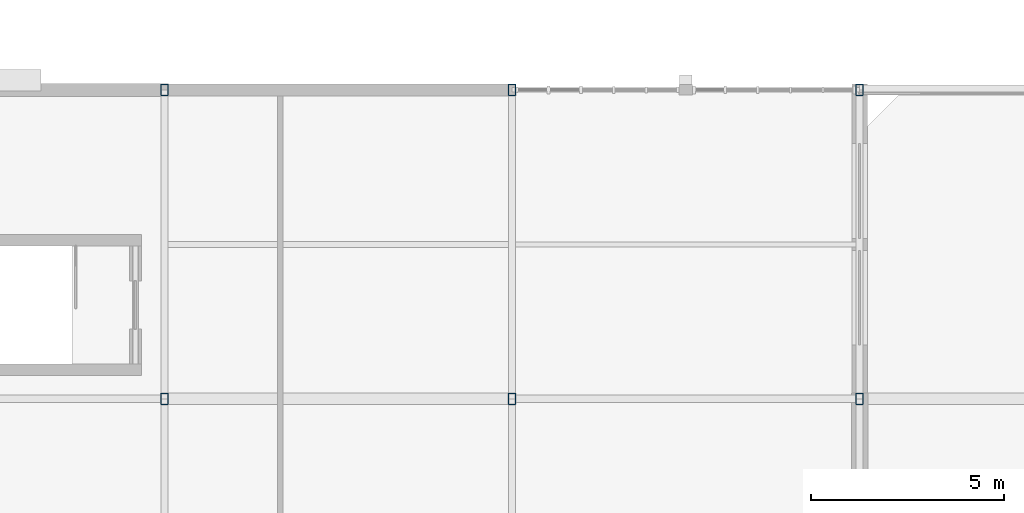
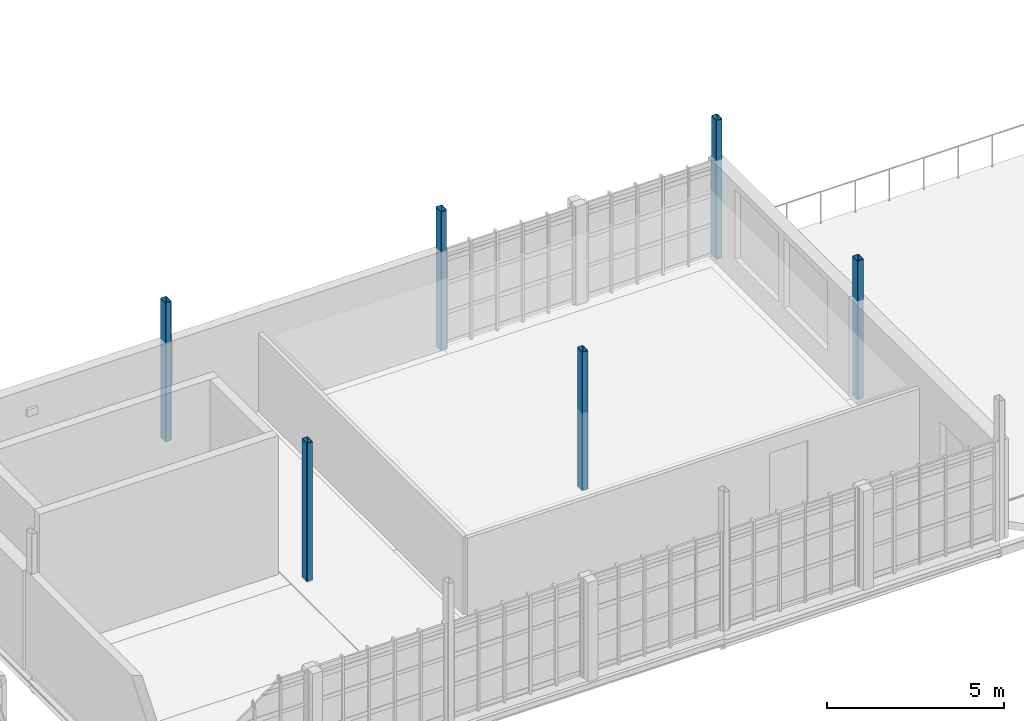
# One storey, part 8 of 128: 6 columns.
"""IFC4 building model written with IfcOpenShell, lengths in metres."""

from ifc_helpers import new_model, si_unit, direction, frame, origin, origin_2d, place, context, subcontext, project, spatial, hollow_rectangle, extrude, material, material_profile, profile_set, type_object, element, save


model = new_model("IFC4")

# Units and contexts
model_context = context("Model", 3, precision=1e-05, world=origin(), true_north=direction((0.0, 1.0)))
body_context = subcontext(model_context, "Body", "Model", "MODEL_VIEW")
ifc_project = project(units=[si_unit("LENGTHUNIT", "METRE"), si_unit("AREAUNIT", "SQUARE_METRE"), si_unit("VOLUMEUNIT", "CUBIC_METRE"), si_unit("PLANEANGLEUNIT", "RADIAN"), si_unit("MASSUNIT", "GRAM", prefix="KILO")], contexts=[model_context])

# Site, building, storey
site_placement = place(None, origin())
site = spatial("IfcSite", under=ifc_project, at=site_placement, CompositionType="ELEMENT")
building_placement = place(site_placement, origin())
building = spatial("IfcBuilding", under=site, at=building_placement, Name="Serraforn Aerial Cableway Station", CompositionType="ELEMENT")
storey_placement = place(building_placement, frame((0.0, 0.0, 9.0)))
storey = spatial("IfcBuildingStorey", under=building, at=storey_placement, Name="L02", CompositionType="ELEMENT", Elevation=9.0)

# Columns
ifc_material = material(Name="Steel S355J2", Category="steel")
ifc_material_profile = material_profile(ifc_material, hollow_rectangle(XDim=0.199951171875, YDim=0.300048828125, WallThickness=0.012451171875, InnerFilletRadius=0.012451171875, OuterFilletRadius=0.02490234375, at=origin_2d()), Name="RHS 300x200x12.5")
ifc_profile_set = profile_set([ifc_material_profile], Name="Steel S355J2")
column_type = type_object("IfcColumnType", Name="COL-ST-RHS300", PredefinedType="COLUMN", material=ifc_profile_set)
for number, where, z_axis, x_axis, name in (
    (1, (103.199951171875, 34.0, 0.0), (0.0, 0.0, 1.0), (1.0, 0.0, 0.0), "Column EL L02 14-D2"),
    (2, (103.199951171875, 42.0, 0.0), (0.0, 0.0, 1.0), (1.0, 0.0, 0.0), "Column EL L02 14-F"),
    (3, (112.199951171875, 34.0, 0.0), (0.0, 0.0, 1.0), (1.0, 0.0, 0.0), "Column EL L02 15-D2"),
    (4, (112.199951171875, 42.0, 0.0), (0.0, 0.0, 1.0), (1.0, 0.0, 0.0), "Column EL L02 15-F"),
    (5, (121.199951171875, 34.0, 0.0), (0.0, 0.0, 1.0), (1.0, 0.0, 0.0), "Column EL L02 16-D2"),
    (6, (121.199951171875, 42.0, 0.0), (0.0, 0.0, 1.0), (1.0, 0.0, 0.0), "Column EL L02 16-F"),
):
    element("IfcColumn", number, at=place(storey_placement, frame(where, z_axis=z_axis, x_axis=x_axis)), inside=storey, type_object=column_type, Name=name, PredefinedType="COLUMN", context=body_context, shape_type="SweptSolid", body=[
        extrude(hollow_rectangle(XDim=0.199951171875, YDim=0.300048828125, WallThickness=0.012451171875, InnerFilletRadius=0.012451171875, OuterFilletRadius=0.02490234375, at=origin_2d()), origin(), (0.0, 0.0, 1.0), 4.800048828125),
    ])

save(model, "model.ifc")
